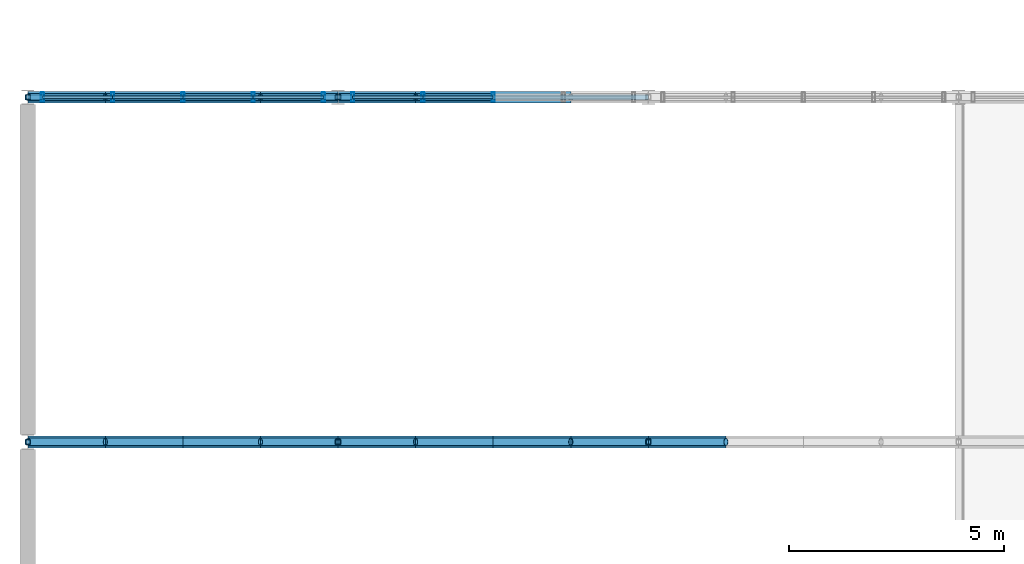
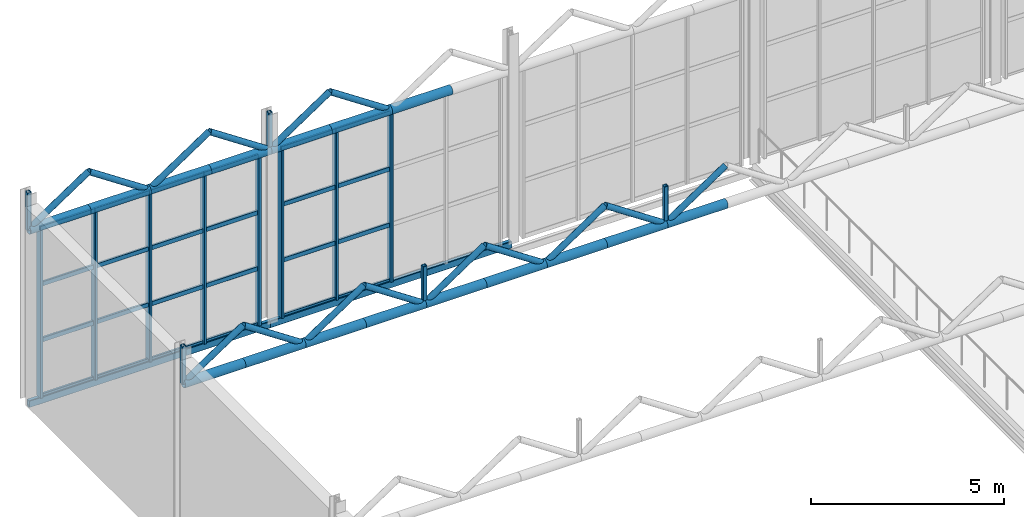
# One storey, part 94 of 153: 68 members, 2 beams, 2 elements without a shape of their own.
"""IFC4 building model written with IfcOpenShell, lengths in metres."""

import ifcopenshell
import ifcopenshell.guid

model = None  # the IFC model being written
_history = None  # IfcOwnerHistory: only IFC2X3 demands one
_inside = {}  # id of a spatial element -> (the spatial element, [elements in it])
_under = {}  # id of a project, library or spatial element -> (it, [spatial elements below it])
_declared = {}  # id of a project -> (the project, [libraries it declares])
_typed = {}  # id of a type object -> (the type object, [elements of that type])
_made_of = {}  # id of a material, layer set ... -> (it, [elements and type objects made of it])


def new_model(schema):
    """Start an empty IFC model of exactly this schema.

    Asked for "IFC4X3", IfcOpenShell would pick the latest addendum, in which some entities
    have other attributes; the version numbers below select the first issue.
    IFC2X3 requires an IfcOwnerHistory on every rooted entity: one is made here for all.
    """
    global model, _history
    if schema == "IFC4X3":
        model = ifcopenshell.file(schema_version=(4, 3, 0, 0))
    else:
        model = ifcopenshell.file(schema=schema)
    _inside.clear()
    _under.clear()
    _declared.clear()
    _typed.clear()
    _made_of.clear()
    _history = None
    if model.schema == "IFC2X3":
        org = make("IfcOrganization", Name="unknown")
        user = make(
            "IfcPersonAndOrganization",
            ThePerson=make("IfcPerson", FamilyName="unknown"),
            TheOrganization=org,
        )
        app = make(
            "IfcApplication",
            ApplicationDeveloper=org,
            Version="unknown",
            ApplicationFullName="unknown",
            ApplicationIdentifier="unknown",
        )
        _history = make(
            "IfcOwnerHistory",
            OwningUser=user,
            OwningApplication=app,
            ChangeAction="ADDED",
            CreationDate=0,
        )
    return model


def make(cls, **values):
    """One entity of the class cls with the attributes given. An attribute that is None is left unset."""
    return model.create_entity(
        cls, **{name: value for name, value in values.items() if value is not None}
    )


def rooted(cls, **values):
    """An entity with a GlobalId (a new one), such as an element, a storey or a relation."""
    return make(cls, GlobalId=ifcopenshell.guid.new(), OwnerHistory=_history, **values)


def si_unit(unit_type, name, prefix=None):
    """IfcSIUnit, for example si_unit("LENGTHUNIT", "METRE", prefix="MILLI")."""
    return make("IfcSIUnit", UnitType=unit_type, Prefix=prefix, Name=name)


def derived_unit(unit_type, elements):
    """IfcDerivedUnit: a product of units, each with its exponent."""
    return make(
        "IfcDerivedUnit",
        Elements=[
            make("IfcDerivedUnitElement", Unit=unit, Exponent=power)
            for unit, power in elements
        ],
        UnitType=unit_type,
    )


def assignment(units):
    """IfcUnitAssignment: the units of a project."""
    return None if units is None else make("IfcUnitAssignment", Units=units)


def point(xyz):
    """IfcCartesianPoint."""
    return None if xyz is None else make("IfcCartesianPoint", Coordinates=xyz)


def direction(xyz):
    """IfcDirection."""
    return None if xyz is None else make("IfcDirection", DirectionRatios=xyz)


def frame(location, z_axis=None, x_axis=None):
    """IfcAxis2Placement3D, a coordinate frame: its origin and axes. An axis left out is left unset."""
    return make(
        "IfcAxis2Placement3D",
        Location=point(location),
        Axis=direction(z_axis),
        RefDirection=direction(x_axis),
    )


def frame_2d(location, x_axis=None):
    """IfcAxis2Placement2D, a coordinate frame in the plane: its origin and x axis."""
    return make(
        "IfcAxis2Placement2D", Location=point(location), RefDirection=direction(x_axis)
    )


def origin():
    """The frame at (0, 0, 0) with its axes left unset."""
    return frame((0.0, 0.0, 0.0))


def origin_2d():
    """The frame at (0, 0) in the plane with its x axis left unset."""
    return frame_2d((0.0, 0.0))


def place(relative_to, where):
    """IfcLocalPlacement: puts the frame where relative to a parent placement (None: the world)."""
    return make(
        "IfcLocalPlacement", PlacementRelTo=relative_to, RelativePlacement=where
    )


def context(
    kind, dimensions, precision=None, world=None, true_north=None, identifier=None
):
    """IfcGeometricRepresentationContext, for example the 3D "Model" context."""
    return make(
        "IfcGeometricRepresentationContext",
        ContextIdentifier=identifier,
        ContextType=kind,
        CoordinateSpaceDimension=dimensions,
        Precision=precision,
        WorldCoordinateSystem=world,
        TrueNorth=true_north,
    )


def subcontext(parent, identifier, kind, view, scale=None):
    """IfcGeometricRepresentationSubContext, for example "Body" below "Model"."""
    return make(
        "IfcGeometricRepresentationSubContext",
        ContextIdentifier=identifier,
        ContextType=kind,
        ParentContext=parent,
        TargetScale=scale,
        TargetView=view,
    )


def project(units=None, contexts=None):
    """IfcProject with its units and contexts."""
    return rooted(
        "IfcProject",
        Name="project",
        RepresentationContexts=contexts,
        UnitsInContext=assignment(units),
    )


def spatial(cls, under=None, at=None, **own):
    """A site, building, storey or space (cls), placed at a placement, below another one or the project."""
    s = rooted(cls, ObjectPlacement=at, **own)
    if under is not None:
        _under.setdefault(under.id(), (under, []))[1].append(s)
    return s


def profile(cls, at=None, kind="AREA", **sizes):
    """A parametric profile (cls). Its sizes go by their IFC names, for example OverallWidth=200.0."""
    return make(cls, ProfileType=kind, Position=at, **sizes)


def hollow_rectangle(**sizes):
    """IfcRectangleHollowProfileDef."""
    return profile("IfcRectangleHollowProfileDef", **sizes)


def hollow_circle(**sizes):
    """IfcCircleHollowProfileDef."""
    return profile("IfcCircleHollowProfileDef", **sizes)


def extrude(swept, where, along, depth):
    """IfcExtrudedAreaSolid: the profile swept, set in the frame where, extruded along a direction by depth."""
    return make(
        "IfcExtrudedAreaSolid",
        SweptArea=swept,
        Position=where,
        ExtrudedDirection=direction(along),
        Depth=depth,
    )


def shape(context_of_items, identifier, shape_type, items):
    """IfcShapeRepresentation: the items that make up one representation, for example the "Body"."""
    return make(
        "IfcShapeRepresentation",
        ContextOfItems=context_of_items,
        RepresentationIdentifier=identifier,
        RepresentationType=shape_type,
        Items=items,
    )


def material(Name=None, Category=None):
    """IfcMaterial."""
    return make("IfcMaterial", Name=Name, Category=Category)


def material_profile(
    of_material, cross_section, Name=None, Category=None, Priority=None
):
    """IfcMaterialProfile: a cross section and its material."""
    return make(
        "IfcMaterialProfile",
        Name=Name,
        Material=of_material,
        Profile=cross_section,
        Priority=Priority,
        Category=Category,
    )


def profile_set(profiles, Name=None, composite=None):
    """IfcMaterialProfileSet."""
    return make(
        "IfcMaterialProfileSet",
        Name=Name,
        MaterialProfiles=profiles,
        CompositeProfile=composite,
    )


def made_of(thing, what):
    """Note that an element or type object is made of a material, layer set ...; save() writes the relation."""
    if what is not None:
        _made_of.setdefault(what.id(), (what, []))[1].append(thing)
    return thing


def type_object(cls, material=None, **own):
    """A type object (cls), such as IfcWallType, which elements share."""
    return made_of(rooted(cls, **own), material)


def element(
    cls,
    number,
    at=None,
    inside=None,
    cuts=None,
    type_object=None,
    material=None,
    context=None,
    identifier="Body",
    shape_type=None,
    held_by="IfcProductDefinitionShape",
    body=None,
    shapes=None,
    **own,
):
    """One element of the class cls, such as IfcWall. Its Tag is "e" and its number.

    at: its placement. inside: the storey or other place that contains it. cuts: it is an
    opening in that element (IfcRelVoidsElement). A single representation is given by context,
    identifier, shape_type and body (its items); several are given by shapes. held_by: the class
    of the entity that holds the representations. save() writes the other relations.
    """
    e = rooted(cls, Tag="e%d" % number, ObjectPlacement=at, **own)
    if body is not None:
        shapes = [shape(context, identifier, shape_type, body)]
    if shapes is not None:
        e.Representation = make(held_by, Representations=shapes)
    if inside is not None:
        _inside.setdefault(inside.id(), (inside, []))[1].append(e)
    if cuts is not None:
        rooted(
            "IfcRelVoidsElement", RelatingBuildingElement=cuts, RelatedOpeningElement=e
        )
    if type_object is not None:
        _typed.setdefault(type_object.id(), (type_object, []))[1].append(e)
    return made_of(e, material)


def aggregate(whole, parts):
    """IfcRelAggregates: a whole, such as a stair, and the parts it consists of."""
    return rooted("IfcRelAggregates", RelatingObject=whole, RelatedObjects=parts)


def save(model, path):
    """Write the relations noted so far, then the file.

    IfcRelAggregates (storeys below a building ...), IfcRelContainedInSpatialStructure (elements
    in a storey), IfcRelDefinesByType, IfcRelAssociatesMaterial and IfcRelDeclares: one each for
    every whole, place, type object, material and project.
    """
    for whole, parts in _under.values():
        aggregate(whole, parts)
    for where, things in _inside.values():
        rooted(
            "IfcRelContainedInSpatialStructure",
            RelatedElements=things,
            RelatingStructure=where,
        )
    for kind, things in _typed.values():
        rooted("IfcRelDefinesByType", RelatedObjects=things, RelatingType=kind)
    for what, things in _made_of.values():
        rooted("IfcRelAssociatesMaterial", RelatedObjects=things, RelatingMaterial=what)
    for by, libraries in _declared.values():
        rooted("IfcRelDeclares", RelatingContext=by, RelatedDefinitions=libraries)
    model.write(path)


model = new_model("IFC4")

# Units and contexts
model_context = context("Model", 3, precision=1e-05, world=origin(), true_north=direction((0.0, 1.0)))
body_context = subcontext(model_context, "Body", "Model", "MODEL_VIEW")
ifc_project = project(units=[si_unit("LENGTHUNIT", "METRE"), si_unit("AREAUNIT", "SQUARE_METRE"), si_unit("VOLUMEUNIT", "CUBIC_METRE"), si_unit("PLANEANGLEUNIT", "RADIAN"), si_unit("MASSUNIT", "GRAM", prefix="KILO"), derived_unit("THERMALTRANSMITTANCEUNIT", [(si_unit("POWERUNIT", "WATT"), 1), (si_unit("LENGTHUNIT", "METRE"), -2), (si_unit("THERMODYNAMICTEMPERATUREUNIT", "KELVIN"), -1)])], contexts=[model_context])

# Site, building, storey
site_placement = place(None, origin())
site = spatial("IfcSite", under=ifc_project, at=site_placement, CompositionType="ELEMENT")
building_placement = place(site_placement, origin())
building = spatial("IfcBuilding", under=site, at=building_placement, Name="Keldorne Ridge Multi-Sports Centre", CompositionType="ELEMENT")
storey_placement = place(building_placement, frame((0.0, 0.0, 9.60009765625)))
storey = spatial("IfcBuildingStorey", under=building, at=storey_placement, Name="L02", CompositionType="ELEMENT", Elevation=9.60009765625)

# Beams
ifc_material_1 = material(Name="Steel S355", Category="steel")
ifc_material_profile_1 = material_profile(ifc_material_1, hollow_rectangle(XDim=0.1201171875, YDim=0.219970703125, WallThickness=0.010009765625, InnerFilletRadius=0.010009765625, OuterFilletRadius=0.02001953125, at=origin_2d()), Name="RHS 220x120x10")
ifc_profile_set_1 = profile_set([ifc_material_profile_1], Name="Steel S355")
beam_type = type_object("IfcBeamType", Name="BM-SP-07", PredefinedType="SPANDREL", material=ifc_profile_set_1)
for number, where, z_axis, x_axis, name in (
    (1, (6.0, 114.0, -0.110107421875), (1.0, 0.0, 0.0), (0.0, 1.0, 0.0), "Climbing spandrel L02.114.1"),
    (2, (13.199951171875, 114.0, -0.110107421875), (1.0, 0.0, 0.0), (0.0, 1.0, 0.0), "Climbing spandrel L02.114.2"),
):
    element("IfcBeam", number, at=place(storey_placement, frame(where, z_axis=z_axis, x_axis=x_axis)), inside=storey, type_object=beam_type, Name=name, PredefinedType="SPANDREL", context=body_context, shape_type="SweptSolid", body=[
        extrude(hollow_rectangle(XDim=0.1201171875, YDim=0.219970703125, WallThickness=0.010009765625, InnerFilletRadius=0.010009765625, OuterFilletRadius=0.02001953125, at=origin_2d()), origin(), (0.0, 0.0, 1.0), 7.199951171875),
    ])

# Curtain wall, members
ifc_material_2 = material(Name="Anodized aluminium", Category="aluminium")
curtain_wall_type_1 = type_object("IfcCurtainWallType", Name="CW-CW-07", PredefinedType="NOTDEFINED", material=ifc_material_2)
curtain_wall_1_placement = place(storey_placement, origin())
curtain_wall_1 = element("IfcCurtainWall", 3, at=curtain_wall_1_placement, inside=storey, type_object=curtain_wall_type_1, Name="Climbing north glazing L02 039", PredefinedType="NOTDEFINED")
ifc_material_profile_2 = material_profile(ifc_material_2, hollow_rectangle(XDim=0.074951171875, YDim=0.219970703125, WallThickness=0.0048828125, InnerFilletRadius=0.0048828125, OuterFilletRadius=0.010009765625, at=origin_2d()), Name="ALU MULLION 220x75x5")
ifc_profile_set_2 = profile_set([ifc_material_profile_2], Name="Anodized aluminium")
member_type_1 = type_object("IfcMemberType", Name="MEM-ML-02", PredefinedType="MULLION", material=ifc_profile_set_2)
member_1_placement = place(storey_placement, frame((12.860107421875, 114.0, 0.0), z_axis=(0.0, 0.0, 1.0), x_axis=(1.0, 0.0, 0.0)))
member_1 = element("IfcMember", 4, at=member_1_placement, type_object=member_type_1, Name="CW-039 vertical mullion 1", PredefinedType="MULLION", context=body_context, shape_type="SweptSolid", body=[
    extrude(hollow_rectangle(XDim=0.074951171875, YDim=0.219970703125, WallThickness=0.0048828125, InnerFilletRadius=0.0048828125, OuterFilletRadius=0.010009765625, at=origin_2d()), origin(), (0.0, 0.0, 1.0), 5.2998046875),
])
member_2_placement = place(storey_placement, frame((11.22998046875, 114.0, 0.0), z_axis=(0.0, 0.0, 1.0), x_axis=(1.0, 0.0, 0.0)))
member_2 = element("IfcMember", 5, at=member_2_placement, type_object=member_type_1, Name="CW-039 vertical mullion 2", PredefinedType="MULLION", context=body_context, shape_type="SweptSolid", body=[
    extrude(hollow_rectangle(XDim=0.074951171875, YDim=0.219970703125, WallThickness=0.0048828125, InnerFilletRadius=0.0048828125, OuterFilletRadius=0.010009765625, at=origin_2d()), origin(), (0.0, 0.0, 1.0), 5.2998046875),
])
member_3_placement = place(storey_placement, frame((9.60009765625, 114.0, 0.0), z_axis=(0.0, 0.0, 1.0), x_axis=(1.0, 0.0, 0.0)))
member_3 = element("IfcMember", 6, at=member_3_placement, type_object=member_type_1, Name="CW-039 vertical mullion 3", PredefinedType="MULLION", context=body_context, shape_type="SweptSolid", body=[
    extrude(hollow_rectangle(XDim=0.074951171875, YDim=0.219970703125, WallThickness=0.0048828125, InnerFilletRadius=0.0048828125, OuterFilletRadius=0.010009765625, at=origin_2d()), origin(), (0.0, 0.0, 1.0), 5.2998046875),
])
member_4_placement = place(storey_placement, frame((7.969970703125, 114.0, 0.0), z_axis=(0.0, 0.0, 1.0), x_axis=(1.0, 0.0, 0.0)))
member_4 = element("IfcMember", 7, at=member_4_placement, type_object=member_type_1, Name="CW-039 vertical mullion 4", PredefinedType="MULLION", context=body_context, shape_type="SweptSolid", body=[
    extrude(hollow_rectangle(XDim=0.074951171875, YDim=0.219970703125, WallThickness=0.0048828125, InnerFilletRadius=0.0048828125, OuterFilletRadius=0.010009765625, at=origin_2d()), origin(), (0.0, 0.0, 1.0), 5.2998046875),
])
member_5_placement = place(storey_placement, frame((6.340087890625, 114.0, 0.0), z_axis=(0.0, 0.0, 1.0), x_axis=(1.0, 0.0, 0.0)))
member_5 = element("IfcMember", 8, at=member_5_placement, type_object=member_type_1, Name="CW-039 vertical mullion 5", PredefinedType="MULLION", context=body_context, shape_type="SweptSolid", body=[
    extrude(hollow_rectangle(XDim=0.074951171875, YDim=0.219970703125, WallThickness=0.0048828125, InnerFilletRadius=0.0048828125, OuterFilletRadius=0.010009765625, at=origin_2d()), origin(), (0.0, 0.0, 1.0), 5.2998046875),
])

curtain_wall_type_2 = type_object("IfcCurtainWallType", Name="CW-CW-03", PredefinedType="NOTDEFINED", material=ifc_material_2)
curtain_wall_2_placement = place(storey_placement, origin())
curtain_wall_2 = element("IfcCurtainWall", 9, at=curtain_wall_2_placement, inside=storey, type_object=curtain_wall_type_2, Name="Climbing north glazing L02 043", PredefinedType="NOTDEFINED")
member_6_placement = place(storey_placement, frame((16.800048828125, 114.0, 0.0), z_axis=(0.0, 0.0, 1.0), x_axis=(1.0, 0.0, 0.0)))
member_6 = element("IfcMember", 10, at=member_6_placement, type_object=member_type_1, Name="CW-043 vertical mullion 3", PredefinedType="MULLION", context=body_context, shape_type="SweptSolid", body=[
    extrude(hollow_rectangle(XDim=0.074951171875, YDim=0.219970703125, WallThickness=0.0048828125, InnerFilletRadius=0.0048828125, OuterFilletRadius=0.010009765625, at=origin_2d()), origin(), (0.0, 0.0, 1.0), 5.2998046875),
])
member_7_placement = place(storey_placement, frame((15.169921875, 114.0, 0.0), z_axis=(0.0, 0.0, 1.0), x_axis=(1.0, 0.0, 0.0)))
member_7 = element("IfcMember", 11, at=member_7_placement, type_object=member_type_1, Name="CW-043 vertical mullion 4", PredefinedType="MULLION", context=body_context, shape_type="SweptSolid", body=[
    extrude(hollow_rectangle(XDim=0.074951171875, YDim=0.219970703125, WallThickness=0.0048828125, InnerFilletRadius=0.0048828125, OuterFilletRadius=0.010009765625, at=origin_2d()), origin(), (0.0, 0.0, 1.0), 5.2998046875),
])
member_8_placement = place(storey_placement, frame((13.5400390625, 114.0, 0.0), z_axis=(0.0, 0.0, 1.0), x_axis=(1.0, 0.0, 0.0)))
member_8 = element("IfcMember", 12, at=member_8_placement, type_object=member_type_1, Name="CW-043 vertical mullion 5", PredefinedType="MULLION", context=body_context, shape_type="SweptSolid", body=[
    extrude(hollow_rectangle(XDim=0.074951171875, YDim=0.219970703125, WallThickness=0.0048828125, InnerFilletRadius=0.0048828125, OuterFilletRadius=0.010009765625, at=origin_2d()), origin(), (0.0, 0.0, 1.0), 5.2998046875),
])

# Members
ifc_material_profile_3 = material_profile(ifc_material_1, hollow_circle(Radius=0.136474609375, WallThickness=0.012451171875, at=origin_2d()), Name="CHS 273x12.5")
ifc_profile_set_3 = profile_set([ifc_material_profile_3], Name="Steel S355")
member_type_2 = type_object("IfcMemberType", Name="MEM-TC-05", PredefinedType="CHORD", material=ifc_profile_set_3)
for number, where, z_axis, x_axis, name in (
    (13, (6.0, 106.0, 5.3798828125), (1.0, 0.0, 0.0), (0.0, 1.0, 0.0), "Climbing sawtooth ROOF TRUSS ST-05 bottom chord 1"),
    (14, (7.800048828125, 106.0, 5.3798828125), (1.0, 0.0, 0.0), (0.0, 1.0, 0.0), "Climbing sawtooth ROOF TRUSS ST-05 bottom chord 2"),
):
    element("IfcMember", number, at=place(storey_placement, frame(where, z_axis=z_axis, x_axis=x_axis)), inside=storey, type_object=member_type_2, Name=name, PredefinedType="CHORD", context=body_context, shape_type="SweptSolid", body=[
        extrude(hollow_circle(Radius=0.136474609375, WallThickness=0.012451171875, at=origin_2d()), origin(), (0.0, 0.0, 1.0), 1.800048828125),
    ])
member_9_placement = place(storey_placement, frame((9.60009765625, 106.0, 5.3798828125), z_axis=(1.0, 0.0, 0.0), x_axis=(0.0, 1.0, 0.0)))
element("IfcMember", 15, at=member_9_placement, inside=storey, type_object=member_type_2, Name="Climbing sawtooth ROOF TRUSS ST-05 bottom chord 3", PredefinedType="CHORD", context=body_context, shape_type="SweptSolid", body=[
    extrude(hollow_circle(Radius=0.136474609375, WallThickness=0.012451171875, at=origin_2d()), origin(), (0.0, 0.0, 1.0), 1.7998046875),
])
for number, where, z_axis, x_axis, name in (
    (16, (11.39990234375, 106.0, 5.3798828125), (1.0, 0.0, 0.0), (0.0, 1.0, 0.0), "Climbing sawtooth ROOF TRUSS ST-05 bottom chord 4"),
    (17, (13.199951171875, 106.0, 5.3798828125), (1.0, 0.0, 0.0), (0.0, 1.0, 0.0), "Climbing sawtooth ROOF TRUSS ST-05 bottom chord 5"),
    (18, (15.0, 106.0, 5.3798828125), (1.0, 0.0, 0.0), (0.0, 1.0, 0.0), "Climbing sawtooth ROOF TRUSS ST-05 bottom chord 6"),
    (19, (16.800048828125, 106.0, 5.3798828125), (1.0, 0.0, 0.0), (0.0, 1.0, 0.0), "Climbing sawtooth ROOF TRUSS ST-05 bottom chord 7"),
):
    element("IfcMember", number, at=place(storey_placement, frame(where, z_axis=z_axis, x_axis=x_axis)), inside=storey, type_object=member_type_2, Name=name, PredefinedType="CHORD", context=body_context, shape_type="SweptSolid", body=[
        extrude(hollow_circle(Radius=0.136474609375, WallThickness=0.012451171875, at=origin_2d()), origin(), (0.0, 0.0, 1.0), 1.800048828125),
    ])
member_10_placement = place(storey_placement, frame((18.60009765625, 106.0, 5.3798828125), z_axis=(1.0, 0.0, 0.0), x_axis=(0.0, 1.0, 0.0)))
element("IfcMember", 20, at=member_10_placement, inside=storey, type_object=member_type_2, Name="Climbing sawtooth ROOF TRUSS ST-05 bottom chord 8", PredefinedType="CHORD", context=body_context, shape_type="SweptSolid", body=[
    extrude(hollow_circle(Radius=0.136474609375, WallThickness=0.012451171875, at=origin_2d()), origin(), (0.0, 0.0, 1.0), 1.7998046875),
])
for number, where, z_axis, x_axis, name in (
    (21, (20.39990234375, 106.0, 5.3798828125), (1.0, 0.0, 0.0), (0.0, 1.0, 0.0), "Climbing sawtooth ROOF TRUSS ST-05 bottom chord 9"),
    (22, (6.0, 114.0, 5.3798828125), (1.0, 0.0, 0.0), (0.0, 1.0, 0.0), "Climbing sawtooth ROOF TRUSS ST-06 bottom chord 1"),
    (23, (7.800048828125, 114.0, 5.3798828125), (1.0, 0.0, 0.0), (0.0, 1.0, 0.0), "Climbing sawtooth ROOF TRUSS ST-06 bottom chord 2"),
):
    element("IfcMember", number, at=place(storey_placement, frame(where, z_axis=z_axis, x_axis=x_axis)), inside=storey, type_object=member_type_2, Name=name, PredefinedType="CHORD", context=body_context, shape_type="SweptSolid", body=[
        extrude(hollow_circle(Radius=0.136474609375, WallThickness=0.012451171875, at=origin_2d()), origin(), (0.0, 0.0, 1.0), 1.800048828125),
    ])
member_11_placement = place(storey_placement, frame((9.60009765625, 114.0, 5.3798828125), z_axis=(1.0, 0.0, 0.0), x_axis=(0.0, 1.0, 0.0)))
element("IfcMember", 24, at=member_11_placement, inside=storey, type_object=member_type_2, Name="Climbing sawtooth ROOF TRUSS ST-06 bottom chord 3", PredefinedType="CHORD", context=body_context, shape_type="SweptSolid", body=[
    extrude(hollow_circle(Radius=0.136474609375, WallThickness=0.012451171875, at=origin_2d()), origin(), (0.0, 0.0, 1.0), 1.7998046875),
])
for number, where, z_axis, x_axis, name in (
    (25, (11.39990234375, 114.0, 5.3798828125), (1.0, 0.0, 0.0), (0.0, 1.0, 0.0), "Climbing sawtooth ROOF TRUSS ST-06 bottom chord 4"),
    (26, (13.199951171875, 114.0, 5.3798828125), (1.0, 0.0, 0.0), (0.0, 1.0, 0.0), "Climbing sawtooth ROOF TRUSS ST-06 bottom chord 5"),
    (27, (15.0, 114.0, 5.3798828125), (1.0, 0.0, 0.0), (0.0, 1.0, 0.0), "Climbing sawtooth ROOF TRUSS ST-06 bottom chord 6"),
    (28, (16.800048828125, 114.0, 5.3798828125), (1.0, 0.0, 0.0), (0.0, 1.0, 0.0), "Climbing sawtooth ROOF TRUSS ST-06 bottom chord 7"),
):
    element("IfcMember", number, at=place(storey_placement, frame(where, z_axis=z_axis, x_axis=x_axis)), inside=storey, type_object=member_type_2, Name=name, PredefinedType="CHORD", context=body_context, shape_type="SweptSolid", body=[
        extrude(hollow_circle(Radius=0.136474609375, WallThickness=0.012451171875, at=origin_2d()), origin(), (0.0, 0.0, 1.0), 1.800048828125),
    ])
ifc_material_profile_4 = material_profile(ifc_material_1, hollow_circle(Radius=0.0888671875, WallThickness=0.010009765625, at=origin_2d()), Name="CHS 177.8x10")
ifc_profile_set_4 = profile_set([ifc_material_profile_4], Name="Steel S355")
member_type_3 = type_object("IfcMemberType", Name="MEM-TD-03", PredefinedType="BRACE", material=ifc_profile_set_4)
for number, where, z_axis, x_axis, name in (
    (29, (6.0, 106.0, 5.3798828125), (0.832067655982, 0.0, 0.554674152876), (0.0, 1.0, 0.0), "Climbing sawtooth web diagonal 05.1"),
    (30, (7.800048828125, 106.0, 6.579833984375), (0.832067655982, 0.0, -0.554674152876), (0.0, 1.0, 0.0), "Climbing sawtooth web diagonal 05.2"),
):
    element("IfcMember", number, at=place(storey_placement, frame(where, z_axis=z_axis, x_axis=x_axis)), inside=storey, type_object=member_type_3, Name=name, PredefinedType="BRACE", context=body_context, shape_type="SweptSolid", body=[
        extrude(hollow_circle(Radius=0.0888671875, WallThickness=0.010009765625, at=origin_2d()), origin(), (0.0, 0.0, 1.0), 2.163330078125),
    ])
member_12_placement = place(storey_placement, frame((9.60009765625, 106.0, 5.3798828125), z_axis=(0.832032930248, 0.0, 0.554726241477), x_axis=(0.0, 1.0, 0.0)))
element("IfcMember", 31, at=member_12_placement, inside=storey, type_object=member_type_3, Name="Climbing sawtooth web diagonal 05.3", PredefinedType="BRACE", context=body_context, shape_type="SweptSolid", body=[
    extrude(hollow_circle(Radius=0.0888671875, WallThickness=0.010009765625, at=origin_2d()), origin(), (0.0, 0.0, 1.0), 2.1630859375),
])
for number, where, z_axis, x_axis, name in (
    (32, (11.39990234375, 106.0, 6.579833984375), (0.832067655982, 0.0, -0.554674152876), (0.0, 1.0, 0.0), "Climbing sawtooth web diagonal 05.4"),
    (33, (13.199951171875, 106.0, 5.3798828125), (0.832067655982, 0.0, 0.554674152876), (0.0, 1.0, 0.0), "Climbing sawtooth web diagonal 05.5"),
    (34, (15.0, 106.0, 6.579833984375), (0.832067655982, 0.0, -0.554674152876), (0.0, 1.0, 0.0), "Climbing sawtooth web diagonal 05.6"),
    (35, (16.800048828125, 106.0, 5.3798828125), (0.832067655982, 0.0, 0.554674152876), (0.0, 1.0, 0.0), "Climbing sawtooth web diagonal 05.7"),
):
    element("IfcMember", number, at=place(storey_placement, frame(where, z_axis=z_axis, x_axis=x_axis)), inside=storey, type_object=member_type_3, Name=name, PredefinedType="BRACE", context=body_context, shape_type="SweptSolid", body=[
        extrude(hollow_circle(Radius=0.0888671875, WallThickness=0.010009765625, at=origin_2d()), origin(), (0.0, 0.0, 1.0), 2.163330078125),
    ])
member_13_placement = place(storey_placement, frame((18.60009765625, 106.0, 6.579833984375), z_axis=(0.832032930248, 0.0, -0.554726241477), x_axis=(0.0, 1.0, 0.0)))
element("IfcMember", 36, at=member_13_placement, inside=storey, type_object=member_type_3, Name="Climbing sawtooth web diagonal 05.8", PredefinedType="BRACE", context=body_context, shape_type="SweptSolid", body=[
    extrude(hollow_circle(Radius=0.0888671875, WallThickness=0.010009765625, at=origin_2d()), origin(), (0.0, 0.0, 1.0), 2.1630859375),
])
for number, where, z_axis, x_axis, name in (
    (37, (20.39990234375, 106.0, 5.3798828125), (0.832067655982, 0.0, 0.554674152876), (0.0, 1.0, 0.0), "Climbing sawtooth web diagonal 05.9"),
    (38, (6.0, 114.0, 5.3798828125), (0.832067655982, 0.0, 0.554674152876), (0.0, 1.0, 0.0), "Climbing sawtooth web diagonal 06.1"),
    (39, (7.800048828125, 114.0, 6.579833984375), (0.832067655982, 0.0, -0.554674152876), (0.0, 1.0, 0.0), "Climbing sawtooth web diagonal 06.2"),
):
    element("IfcMember", number, at=place(storey_placement, frame(where, z_axis=z_axis, x_axis=x_axis)), inside=storey, type_object=member_type_3, Name=name, PredefinedType="BRACE", context=body_context, shape_type="SweptSolid", body=[
        extrude(hollow_circle(Radius=0.0888671875, WallThickness=0.010009765625, at=origin_2d()), origin(), (0.0, 0.0, 1.0), 2.163330078125),
    ])
member_14_placement = place(storey_placement, frame((9.60009765625, 114.0, 5.3798828125), z_axis=(0.832032930248, 0.0, 0.554726241477), x_axis=(0.0, 1.0, 0.0)))
element("IfcMember", 40, at=member_14_placement, inside=storey, type_object=member_type_3, Name="Climbing sawtooth web diagonal 06.3", PredefinedType="BRACE", context=body_context, shape_type="SweptSolid", body=[
    extrude(hollow_circle(Radius=0.0888671875, WallThickness=0.010009765625, at=origin_2d()), origin(), (0.0, 0.0, 1.0), 2.1630859375),
])
for number, where, z_axis, x_axis, name in (
    (41, (11.39990234375, 114.0, 6.579833984375), (0.832067655982, 0.0, -0.554674152876), (0.0, 1.0, 0.0), "Climbing sawtooth web diagonal 06.4"),
    (42, (13.199951171875, 114.0, 5.3798828125), (0.832067655982, 0.0, 0.554674152876), (0.0, 1.0, 0.0), "Climbing sawtooth web diagonal 06.5"),
    (43, (15.0, 114.0, 6.579833984375), (0.832067655982, 0.0, -0.554674152876), (0.0, 1.0, 0.0), "Climbing sawtooth web diagonal 06.6"),
):
    element("IfcMember", number, at=place(storey_placement, frame(where, z_axis=z_axis, x_axis=x_axis)), inside=storey, type_object=member_type_3, Name=name, PredefinedType="BRACE", context=body_context, shape_type="SweptSolid", body=[
        extrude(hollow_circle(Radius=0.0888671875, WallThickness=0.010009765625, at=origin_2d()), origin(), (0.0, 0.0, 1.0), 2.163330078125),
    ])

# Member
ifc_material_profile_5 = material_profile(ifc_material_2, hollow_rectangle(XDim=0.06494140625, YDim=0.139892578125, WallThickness=0.00439453125, InnerFilletRadius=0.00439453125, OuterFilletRadius=0.009033203125, at=origin_2d()), Name="ALU TRANSOM 140x65x4.5")
ifc_profile_set_5 = profile_set([ifc_material_profile_5], Name="Anodized aluminium")
member_type_4 = type_object("IfcMemberType", Name="MEM-TR-01", PredefinedType="USERDEFINED", material=ifc_profile_set_5)
member_15_placement = place(storey_placement, frame((12.860107421875, 114.0, 0.0), z_axis=(-1.0, 0.0, 0.0), x_axis=(0.0, -1.0, 0.0)))
member_15 = element("IfcMember", 44, at=member_15_placement, type_object=member_type_4, Name="CW-039 transom 1.1", ObjectType="TRANSOM", PredefinedType="USERDEFINED", context=body_context, shape_type="SweptSolid", body=[
    extrude(hollow_rectangle(XDim=0.06494140625, YDim=0.139892578125, WallThickness=0.00439453125, InnerFilletRadius=0.00439453125, OuterFilletRadius=0.009033203125, at=origin_2d()), origin(), (0.0, 0.0, 1.0), 1.630126953125),
])

member_16_placement = place(storey_placement, frame((12.860107421875, 114.0, 1.7666015625), z_axis=(-1.0, 0.0, 0.0), x_axis=(0.0, -1.0, 0.0)))
member_16 = element("IfcMember", 45, at=member_16_placement, type_object=member_type_4, Name="CW-039 transom 1.2", ObjectType="TRANSOM", PredefinedType="USERDEFINED", context=body_context, shape_type="SweptSolid", body=[
    extrude(hollow_rectangle(XDim=0.06494140625, YDim=0.139892578125, WallThickness=0.00439453125, InnerFilletRadius=0.00439453125, OuterFilletRadius=0.009033203125, at=origin_2d()), origin(), (0.0, 0.0, 1.0), 1.630126953125),
])

member_17_placement = place(storey_placement, frame((12.860107421875, 114.0, 3.533203125), z_axis=(-1.0, 0.0, 0.0), x_axis=(0.0, -1.0, 0.0)))
member_17 = element("IfcMember", 46, at=member_17_placement, type_object=member_type_4, Name="CW-039 transom 1.3", ObjectType="TRANSOM", PredefinedType="USERDEFINED", context=body_context, shape_type="SweptSolid", body=[
    extrude(hollow_rectangle(XDim=0.06494140625, YDim=0.139892578125, WallThickness=0.00439453125, InnerFilletRadius=0.00439453125, OuterFilletRadius=0.009033203125, at=origin_2d()), origin(), (0.0, 0.0, 1.0), 1.630126953125),
])

member_18_placement = place(storey_placement, frame((12.860107421875, 114.0, 5.2998046875), z_axis=(-1.0, 0.0, 0.0), x_axis=(0.0, -1.0, 0.0)))
member_18 = element("IfcMember", 47, at=member_18_placement, type_object=member_type_4, Name="CW-039 transom 1.4", ObjectType="TRANSOM", PredefinedType="USERDEFINED", context=body_context, shape_type="SweptSolid", body=[
    extrude(hollow_rectangle(XDim=0.06494140625, YDim=0.139892578125, WallThickness=0.00439453125, InnerFilletRadius=0.00439453125, OuterFilletRadius=0.009033203125, at=origin_2d()), origin(), (0.0, 0.0, 1.0), 1.630126953125),
])

member_19_placement = place(storey_placement, frame((11.22998046875, 114.0, 0.0), z_axis=(-1.0, 0.0, 0.0), x_axis=(0.0, -1.0, 0.0)))
member_19 = element("IfcMember", 48, at=member_19_placement, type_object=member_type_4, Name="CW-039 transom 2.1", ObjectType="TRANSOM", PredefinedType="USERDEFINED", context=body_context, shape_type="SweptSolid", body=[
    extrude(hollow_rectangle(XDim=0.06494140625, YDim=0.139892578125, WallThickness=0.00439453125, InnerFilletRadius=0.00439453125, OuterFilletRadius=0.009033203125, at=origin_2d()), origin(), (0.0, 0.0, 1.0), 1.6298828125),
])

member_20_placement = place(storey_placement, frame((11.22998046875, 114.0, 1.7666015625), z_axis=(-1.0, 0.0, 0.0), x_axis=(0.0, -1.0, 0.0)))
member_20 = element("IfcMember", 49, at=member_20_placement, type_object=member_type_4, Name="CW-039 transom 2.2", ObjectType="TRANSOM", PredefinedType="USERDEFINED", context=body_context, shape_type="SweptSolid", body=[
    extrude(hollow_rectangle(XDim=0.06494140625, YDim=0.139892578125, WallThickness=0.00439453125, InnerFilletRadius=0.00439453125, OuterFilletRadius=0.009033203125, at=origin_2d()), origin(), (0.0, 0.0, 1.0), 1.6298828125),
])

member_21_placement = place(storey_placement, frame((11.22998046875, 114.0, 3.533203125), z_axis=(-1.0, 0.0, 0.0), x_axis=(0.0, -1.0, 0.0)))
member_21 = element("IfcMember", 50, at=member_21_placement, type_object=member_type_4, Name="CW-039 transom 2.3", ObjectType="TRANSOM", PredefinedType="USERDEFINED", context=body_context, shape_type="SweptSolid", body=[
    extrude(hollow_rectangle(XDim=0.06494140625, YDim=0.139892578125, WallThickness=0.00439453125, InnerFilletRadius=0.00439453125, OuterFilletRadius=0.009033203125, at=origin_2d()), origin(), (0.0, 0.0, 1.0), 1.6298828125),
])

member_22_placement = place(storey_placement, frame((11.22998046875, 114.0, 5.2998046875), z_axis=(-1.0, 0.0, 0.0), x_axis=(0.0, -1.0, 0.0)))
member_22 = element("IfcMember", 51, at=member_22_placement, type_object=member_type_4, Name="CW-039 transom 2.4", ObjectType="TRANSOM", PredefinedType="USERDEFINED", context=body_context, shape_type="SweptSolid", body=[
    extrude(hollow_rectangle(XDim=0.06494140625, YDim=0.139892578125, WallThickness=0.00439453125, InnerFilletRadius=0.00439453125, OuterFilletRadius=0.009033203125, at=origin_2d()), origin(), (0.0, 0.0, 1.0), 1.6298828125),
])

member_23_placement = place(storey_placement, frame((9.60009765625, 114.0, 0.0), z_axis=(-1.0, 0.0, 0.0), x_axis=(0.0, -1.0, 0.0)))
member_23 = element("IfcMember", 52, at=member_23_placement, type_object=member_type_4, Name="CW-039 transom 3.1", ObjectType="TRANSOM", PredefinedType="USERDEFINED", context=body_context, shape_type="SweptSolid", body=[
    extrude(hollow_rectangle(XDim=0.06494140625, YDim=0.139892578125, WallThickness=0.00439453125, InnerFilletRadius=0.00439453125, OuterFilletRadius=0.009033203125, at=origin_2d()), origin(), (0.0, 0.0, 1.0), 1.630126953125),
])

member_24_placement = place(storey_placement, frame((9.60009765625, 114.0, 1.7666015625), z_axis=(-1.0, 0.0, 0.0), x_axis=(0.0, -1.0, 0.0)))
member_24 = element("IfcMember", 53, at=member_24_placement, type_object=member_type_4, Name="CW-039 transom 3.2", ObjectType="TRANSOM", PredefinedType="USERDEFINED", context=body_context, shape_type="SweptSolid", body=[
    extrude(hollow_rectangle(XDim=0.06494140625, YDim=0.139892578125, WallThickness=0.00439453125, InnerFilletRadius=0.00439453125, OuterFilletRadius=0.009033203125, at=origin_2d()), origin(), (0.0, 0.0, 1.0), 1.630126953125),
])

member_25_placement = place(storey_placement, frame((9.60009765625, 114.0, 3.533203125), z_axis=(-1.0, 0.0, 0.0), x_axis=(0.0, -1.0, 0.0)))
member_25 = element("IfcMember", 54, at=member_25_placement, type_object=member_type_4, Name="CW-039 transom 3.3", ObjectType="TRANSOM", PredefinedType="USERDEFINED", context=body_context, shape_type="SweptSolid", body=[
    extrude(hollow_rectangle(XDim=0.06494140625, YDim=0.139892578125, WallThickness=0.00439453125, InnerFilletRadius=0.00439453125, OuterFilletRadius=0.009033203125, at=origin_2d()), origin(), (0.0, 0.0, 1.0), 1.630126953125),
])

member_26_placement = place(storey_placement, frame((9.60009765625, 114.0, 5.2998046875), z_axis=(-1.0, 0.0, 0.0), x_axis=(0.0, -1.0, 0.0)))
member_26 = element("IfcMember", 55, at=member_26_placement, type_object=member_type_4, Name="CW-039 transom 3.4", ObjectType="TRANSOM", PredefinedType="USERDEFINED", context=body_context, shape_type="SweptSolid", body=[
    extrude(hollow_rectangle(XDim=0.06494140625, YDim=0.139892578125, WallThickness=0.00439453125, InnerFilletRadius=0.00439453125, OuterFilletRadius=0.009033203125, at=origin_2d()), origin(), (0.0, 0.0, 1.0), 1.630126953125),
])

member_27_placement = place(storey_placement, frame((7.969970703125, 114.0, 0.0), z_axis=(-1.0, 0.0, 0.0), x_axis=(0.0, -1.0, 0.0)))
member_27 = element("IfcMember", 56, at=member_27_placement, type_object=member_type_4, Name="CW-039 transom 4.1", ObjectType="TRANSOM", PredefinedType="USERDEFINED", context=body_context, shape_type="SweptSolid", body=[
    extrude(hollow_rectangle(XDim=0.06494140625, YDim=0.139892578125, WallThickness=0.00439453125, InnerFilletRadius=0.00439453125, OuterFilletRadius=0.009033203125, at=origin_2d()), origin(), (0.0, 0.0, 1.0), 1.6298828125),
])

member_28_placement = place(storey_placement, frame((7.969970703125, 114.0, 1.7666015625), z_axis=(-1.0, 0.0, 0.0), x_axis=(0.0, -1.0, 0.0)))
member_28 = element("IfcMember", 57, at=member_28_placement, type_object=member_type_4, Name="CW-039 transom 4.2", ObjectType="TRANSOM", PredefinedType="USERDEFINED", context=body_context, shape_type="SweptSolid", body=[
    extrude(hollow_rectangle(XDim=0.06494140625, YDim=0.139892578125, WallThickness=0.00439453125, InnerFilletRadius=0.00439453125, OuterFilletRadius=0.009033203125, at=origin_2d()), origin(), (0.0, 0.0, 1.0), 1.6298828125),
])

member_29_placement = place(storey_placement, frame((7.969970703125, 114.0, 3.533203125), z_axis=(-1.0, 0.0, 0.0), x_axis=(0.0, -1.0, 0.0)))
member_29 = element("IfcMember", 58, at=member_29_placement, type_object=member_type_4, Name="CW-039 transom 4.3", ObjectType="TRANSOM", PredefinedType="USERDEFINED", context=body_context, shape_type="SweptSolid", body=[
    extrude(hollow_rectangle(XDim=0.06494140625, YDim=0.139892578125, WallThickness=0.00439453125, InnerFilletRadius=0.00439453125, OuterFilletRadius=0.009033203125, at=origin_2d()), origin(), (0.0, 0.0, 1.0), 1.6298828125),
])

member_30_placement = place(storey_placement, frame((7.969970703125, 114.0, 5.2998046875), z_axis=(-1.0, 0.0, 0.0), x_axis=(0.0, -1.0, 0.0)))
member_30 = element("IfcMember", 59, at=member_30_placement, type_object=member_type_4, Name="CW-039 transom 4.4", ObjectType="TRANSOM", PredefinedType="USERDEFINED", context=body_context, shape_type="SweptSolid", body=[
    extrude(hollow_rectangle(XDim=0.06494140625, YDim=0.139892578125, WallThickness=0.00439453125, InnerFilletRadius=0.00439453125, OuterFilletRadius=0.009033203125, at=origin_2d()), origin(), (0.0, 0.0, 1.0), 1.6298828125),
])

aggregate(curtain_wall_1, [member_1, member_2, member_3, member_4, member_5, member_15, member_16, member_17, member_18, member_19, member_20, member_21, member_22, member_23, member_24, member_25, member_26, member_27, member_28, member_29, member_30])

member_31_placement = place(storey_placement, frame((16.800048828125, 114.0, 0.0), z_axis=(-1.0, 0.0, 0.0), x_axis=(0.0, -1.0, 0.0)))
member_31 = element("IfcMember", 60, at=member_31_placement, type_object=member_type_4, Name="CW-043 transom 3.1", ObjectType="TRANSOM", PredefinedType="USERDEFINED", context=body_context, shape_type="SweptSolid", body=[
    extrude(hollow_rectangle(XDim=0.06494140625, YDim=0.139892578125, WallThickness=0.00439453125, InnerFilletRadius=0.00439453125, OuterFilletRadius=0.009033203125, at=origin_2d()), origin(), (0.0, 0.0, 1.0), 1.630126953125),
])

member_32_placement = place(storey_placement, frame((16.800048828125, 114.0, 1.7666015625), z_axis=(-1.0, 0.0, 0.0), x_axis=(0.0, -1.0, 0.0)))
member_32 = element("IfcMember", 61, at=member_32_placement, type_object=member_type_4, Name="CW-043 transom 3.2", ObjectType="TRANSOM", PredefinedType="USERDEFINED", context=body_context, shape_type="SweptSolid", body=[
    extrude(hollow_rectangle(XDim=0.06494140625, YDim=0.139892578125, WallThickness=0.00439453125, InnerFilletRadius=0.00439453125, OuterFilletRadius=0.009033203125, at=origin_2d()), origin(), (0.0, 0.0, 1.0), 1.630126953125),
])

member_33_placement = place(storey_placement, frame((16.800048828125, 114.0, 3.533203125), z_axis=(-1.0, 0.0, 0.0), x_axis=(0.0, -1.0, 0.0)))
member_33 = element("IfcMember", 62, at=member_33_placement, type_object=member_type_4, Name="CW-043 transom 3.3", ObjectType="TRANSOM", PredefinedType="USERDEFINED", context=body_context, shape_type="SweptSolid", body=[
    extrude(hollow_rectangle(XDim=0.06494140625, YDim=0.139892578125, WallThickness=0.00439453125, InnerFilletRadius=0.00439453125, OuterFilletRadius=0.009033203125, at=origin_2d()), origin(), (0.0, 0.0, 1.0), 1.630126953125),
])

member_34_placement = place(storey_placement, frame((16.800048828125, 114.0, 5.2998046875), z_axis=(-1.0, 0.0, 0.0), x_axis=(0.0, -1.0, 0.0)))
member_34 = element("IfcMember", 63, at=member_34_placement, type_object=member_type_4, Name="CW-043 transom 3.4", ObjectType="TRANSOM", PredefinedType="USERDEFINED", context=body_context, shape_type="SweptSolid", body=[
    extrude(hollow_rectangle(XDim=0.06494140625, YDim=0.139892578125, WallThickness=0.00439453125, InnerFilletRadius=0.00439453125, OuterFilletRadius=0.009033203125, at=origin_2d()), origin(), (0.0, 0.0, 1.0), 1.630126953125),
])

member_35_placement = place(storey_placement, frame((15.169921875, 114.0, 0.0), z_axis=(-1.0, 0.0, 0.0), x_axis=(0.0, -1.0, 0.0)))
member_35 = element("IfcMember", 64, at=member_35_placement, type_object=member_type_4, Name="CW-043 transom 4.1", ObjectType="TRANSOM", PredefinedType="USERDEFINED", context=body_context, shape_type="SweptSolid", body=[
    extrude(hollow_rectangle(XDim=0.06494140625, YDim=0.139892578125, WallThickness=0.00439453125, InnerFilletRadius=0.00439453125, OuterFilletRadius=0.009033203125, at=origin_2d()), origin(), (0.0, 0.0, 1.0), 1.6298828125),
])

member_36_placement = place(storey_placement, frame((15.169921875, 114.0, 1.7666015625), z_axis=(-1.0, 0.0, 0.0), x_axis=(0.0, -1.0, 0.0)))
member_36 = element("IfcMember", 65, at=member_36_placement, type_object=member_type_4, Name="CW-043 transom 4.2", ObjectType="TRANSOM", PredefinedType="USERDEFINED", context=body_context, shape_type="SweptSolid", body=[
    extrude(hollow_rectangle(XDim=0.06494140625, YDim=0.139892578125, WallThickness=0.00439453125, InnerFilletRadius=0.00439453125, OuterFilletRadius=0.009033203125, at=origin_2d()), origin(), (0.0, 0.0, 1.0), 1.6298828125),
])

member_37_placement = place(storey_placement, frame((15.169921875, 114.0, 3.533203125), z_axis=(-1.0, 0.0, 0.0), x_axis=(0.0, -1.0, 0.0)))
member_37 = element("IfcMember", 66, at=member_37_placement, type_object=member_type_4, Name="CW-043 transom 4.3", ObjectType="TRANSOM", PredefinedType="USERDEFINED", context=body_context, shape_type="SweptSolid", body=[
    extrude(hollow_rectangle(XDim=0.06494140625, YDim=0.139892578125, WallThickness=0.00439453125, InnerFilletRadius=0.00439453125, OuterFilletRadius=0.009033203125, at=origin_2d()), origin(), (0.0, 0.0, 1.0), 1.6298828125),
])

member_38_placement = place(storey_placement, frame((15.169921875, 114.0, 5.2998046875), z_axis=(-1.0, 0.0, 0.0), x_axis=(0.0, -1.0, 0.0)))
member_38 = element("IfcMember", 67, at=member_38_placement, type_object=member_type_4, Name="CW-043 transom 4.4", ObjectType="TRANSOM", PredefinedType="USERDEFINED", context=body_context, shape_type="SweptSolid", body=[
    extrude(hollow_rectangle(XDim=0.06494140625, YDim=0.139892578125, WallThickness=0.00439453125, InnerFilletRadius=0.00439453125, OuterFilletRadius=0.009033203125, at=origin_2d()), origin(), (0.0, 0.0, 1.0), 1.6298828125),
])

aggregate(curtain_wall_2, [member_6, member_7, member_8, member_31, member_32, member_33, member_34, member_35, member_36, member_37, member_38])

# Members
ifc_material_profile_6 = material_profile(ifc_material_1, hollow_rectangle(XDim=0.1201171875, YDim=0.1201171875, WallThickness=0.008056640625, InnerFilletRadius=0.008056640625, OuterFilletRadius=0.01611328125, at=origin_2d()), Name="SHS 120x120x8")
ifc_profile_set_6 = profile_set([ifc_material_profile_6], Name="Steel S355")
member_type_5 = type_object("IfcMemberType", Name="MEM-TV-02", PredefinedType="STRUT", material=ifc_profile_set_6)
for number, where, z_axis, x_axis, name in (
    (68, (6.0, 106.0, 5.3798828125), (0.0, 0.0, 1.0), (1.0, 0.0, 0.0), "Climbing sawtooth vertical strut 05.1"),
    (69, (13.199951171875, 106.0, 5.3798828125), (0.0, 0.0, 1.0), (1.0, 0.0, 0.0), "Climbing sawtooth vertical strut 05.2"),
    (70, (20.39990234375, 106.0, 5.3798828125), (0.0, 0.0, 1.0), (1.0, 0.0, 0.0), "Climbing sawtooth vertical strut 05.3"),
    (71, (6.0, 114.0, 5.3798828125), (0.0, 0.0, 1.0), (1.0, 0.0, 0.0), "Climbing sawtooth vertical strut 06.1"),
    (72, (13.199951171875, 114.0, 5.3798828125), (0.0, 0.0, 1.0), (1.0, 0.0, 0.0), "Climbing sawtooth vertical strut 06.2"),
):
    element("IfcMember", number, at=place(storey_placement, frame(where, z_axis=z_axis, x_axis=x_axis)), inside=storey, type_object=member_type_5, Name=name, PredefinedType="STRUT", context=body_context, shape_type="SweptSolid", body=[
        extrude(hollow_rectangle(XDim=0.1201171875, YDim=0.1201171875, WallThickness=0.008056640625, InnerFilletRadius=0.008056640625, OuterFilletRadius=0.01611328125, at=origin_2d()), origin(), (0.0, 0.0, 1.0), 1.199951171875),
    ])

save(model, "model.ifc")
